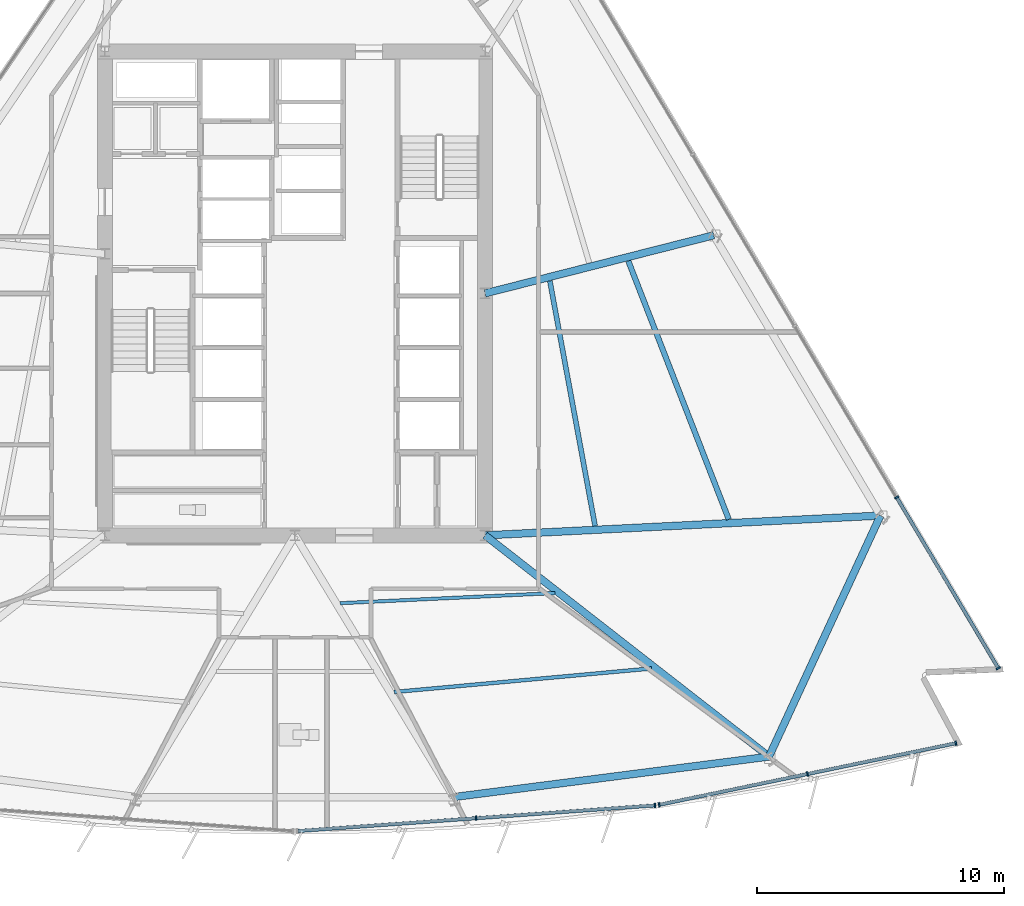
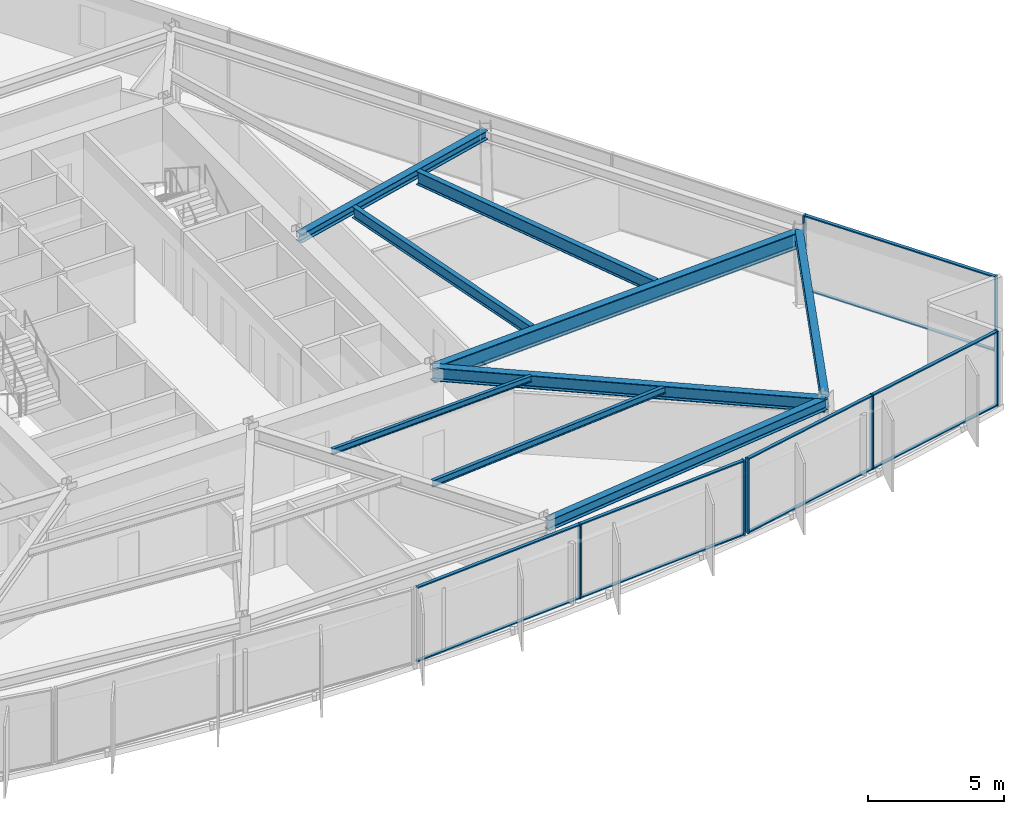
# One storey, part 4 of 15: 17 members, 9 beams, 3 elements without a shape of their own.
"""IFC4 building model written with IfcOpenShell, lengths in metres."""

from ifc_helpers import new_model, si_unit, direction, frame, origin, origin_2d, place, context, subcontext, project, spatial, rectangle, i_section, extrude, material, material_profile, profile_set, type_object, element, aggregate, save


model = new_model("IFC4")

# Units and contexts
model_context = context("Model", 3, precision=1e-05, world=origin(), true_north=direction((0.0, 1.0)))
body_context = subcontext(model_context, "Body", "Model", "MODEL_VIEW")
ifc_project = project(units=[si_unit("LENGTHUNIT", "METRE"), si_unit("AREAUNIT", "SQUARE_METRE"), si_unit("VOLUMEUNIT", "CUBIC_METRE"), si_unit("PLANEANGLEUNIT", "RADIAN"), si_unit("MASSUNIT", "GRAM", prefix="KILO")], contexts=[model_context])

# Site, building, storey
site_placement = place(None, origin())
site = spatial("IfcSite", under=ifc_project, at=site_placement, CompositionType="ELEMENT")
building_placement = place(site_placement, origin())
building = spatial("IfcBuilding", under=site, at=building_placement, Name="Savorim Split Tower", CompositionType="ELEMENT")
storey_placement = place(building_placement, frame((0.0, 0.0, 82.5)))
storey = spatial("IfcBuildingStorey", under=building, at=storey_placement, Name="L21", CompositionType="ELEMENT", Elevation=82.5)

# Beams
ifc_material_1 = material(Name="Steel S355", Category="steel")
ifc_material_profile_1 = material_profile(ifc_material_1, i_section(OverallWidth=0.135009765625, OverallDepth=0.27001953125, WebThickness=0.006591796875, FlangeThickness=0.01025390625, FilletRadius=0.014892578125, at=origin_2d()), Name="IPE 270")
ifc_profile_set_1 = profile_set([ifc_material_profile_1], Name="Steel S355")
beam_type_1 = type_object("IfcBeamType", Name="BM-JST-IPE270", PredefinedType="JOIST", material=ifc_profile_set_1)
beam_1_placement = place(storey_placement, frame((1.83251953125, -12.14794921875, 3.215087890625), z_axis=(0.998887027932, 0.047166783105, 0.0), x_axis=(-0.047166783105, 0.998887027932, 0.0)))
element("IfcBeam", 1, at=beam_1_placement, inside=storey, type_object=beam_type_1, Name="L21 Secondary Floor Joist JS-05", PredefinedType="JOIST", context=body_context, shape_type="SweptSolid", body=[
    extrude(i_section(OverallWidth=0.135009765625, OverallDepth=0.27001953125, WebThickness=0.006591796875, FlangeThickness=0.01025390625, FilletRadius=0.014892578125, at=origin_2d()), origin(), (0.0, 0.0, 1.0), 8.706298828125),
])
ifc_material_profile_2 = material_profile(ifc_material_1, i_section(OverallWidth=0.14990234375, OverallDepth=0.300048828125, WebThickness=0.007080078125, FlangeThickness=0.0107421875, FilletRadius=0.014892578125, at=origin_2d()), Name="IPE 300")
ifc_profile_set_2 = profile_set([ifc_material_profile_2], Name="Steel S355")
beam_type_2 = type_object("IfcBeamType", Name="BM-JST-IPE300", PredefinedType="JOIST", material=ifc_profile_set_2)
beam_2_placement = place(storey_placement, frame((4.019287109375, -15.744384765625, 3.199951171875), z_axis=(0.995835239255, 0.091171137194, 0.0), x_axis=(-0.091171137194, 0.995835239255, 0.0)))
element("IfcBeam", 2, at=beam_2_placement, inside=storey, type_object=beam_type_2, Name="L21 Secondary Floor Joist JS-04", PredefinedType="JOIST", context=body_context, shape_type="SweptSolid", body=[
    extrude(i_section(OverallWidth=0.14990234375, OverallDepth=0.300048828125, WebThickness=0.007080078125, FlangeThickness=0.0107421875, FilletRadius=0.014892578125, at=origin_2d()), origin(), (0.0, 0.0, 1.0), 10.462158203125),
])
ifc_material_profile_3 = material_profile(ifc_material_1, i_section(OverallWidth=0.199951171875, OverallDepth=0.5, WebThickness=0.01025390625, FlangeThickness=0.01611328125, FilletRadius=0.02099609375, at=origin_2d()), Name="IPE 500")
ifc_profile_set_3 = profile_set([ifc_material_profile_3], Name="Steel S355")
beam_type_3 = type_object("IfcBeamType", Name="BM-JST-IPE500", PredefinedType="JOIST", material=ifc_profile_set_3)
beam_3_placement = place(storey_placement, frame((12.1533203125, -9.0185546875, 3.10009765625), z_axis=(-0.181587446639, 0.983374800991, 0.0), x_axis=(-0.983374800991, -0.181587446639, 0.0)))
element("IfcBeam", 3, at=beam_3_placement, inside=storey, type_object=beam_type_3, Name="L21 Secondary Floor Joist JS-08", PredefinedType="JOIST", context=body_context, shape_type="SweptSolid", body=[
    extrude(i_section(OverallWidth=0.199951171875, OverallDepth=0.5, WebThickness=0.01025390625, FlangeThickness=0.01611328125, FilletRadius=0.02099609375, at=origin_2d()), origin(), (0.0, 0.0, 1.0), 10.087646484375),
])
ifc_material_profile_4 = material_profile(ifc_material_1, i_section(OverallWidth=0.219970703125, OverallDepth=0.60009765625, WebThickness=0.011962890625, FlangeThickness=0.01904296875, FilletRadius=0.02392578125, at=origin_2d()), Name="IPE 600")
ifc_profile_set_4 = profile_set([ifc_material_profile_4], Name="Steel S355")
beam_type_4 = type_object("IfcBeamType", Name="BM-JST-IPE600", PredefinedType="JOIST", material=ifc_profile_set_4)
beam_4_placement = place(storey_placement, frame((17.5673828125, -8.75439453125, 3.050048828125), z_axis=(-0.362420025805, 0.932014873752, 0.0), x_axis=(-0.932014873752, -0.362420025805, 0.0)))
element("IfcBeam", 4, at=beam_4_placement, inside=storey, type_object=beam_type_4, Name="L21 Secondary Floor Joist JS-06", PredefinedType="JOIST", context=body_context, shape_type="SweptSolid", body=[
    extrude(i_section(OverallWidth=0.219970703125, OverallDepth=0.60009765625, WebThickness=0.011962890625, FlangeThickness=0.01904296875, FilletRadius=0.02392578125, at=origin_2d()), origin(), (0.0, 0.0, 1.0), 11.226806640625),
])
ifc_material_profile_5 = material_profile(ifc_material_1, i_section(OverallWidth=0.300048828125, OverallDepth=0.39990234375, WebThickness=0.013427734375, FlangeThickness=0.02392578125, FilletRadius=0.027099609375, at=origin_2d()), Name="HEB 400")
ifc_profile_set_5 = profile_set([ifc_material_profile_5], Name="Steel S355")
beam_type_5 = type_object("IfcBeamType", Name="BM-PRI-HEB400", PredefinedType="BEAM", material=ifc_profile_set_5)
beam_5_placement = place(storey_placement, frame((16.958984375, 2.752197265625, 3.14990234375), z_axis=(-0.969210926166, -0.246231965026, 0.0), x_axis=(0.246231965026, -0.969210926166, 0.0)))
element("IfcBeam", 5, at=beam_5_placement, inside=storey, type_object=beam_type_5, Name="L21 Primary Floor Girder RG-06", PredefinedType="BEAM", context=body_context, shape_type="SweptSolid", body=[
    extrude(i_section(OverallWidth=0.300048828125, OverallDepth=0.39990234375, WebThickness=0.013427734375, FlangeThickness=0.02392578125, FilletRadius=0.027099609375, at=origin_2d()), origin(), (0.0, 0.0, 1.0), 9.55322265625),
])
ifc_material_profile_6 = material_profile(ifc_material_1, i_section(OverallWidth=0.300048828125, OverallDepth=0.60009765625, WebThickness=0.015380859375, FlangeThickness=0.030029296875, FilletRadius=0.027099609375, at=origin_2d()), Name="HEB 600")
ifc_profile_set_6 = profile_set([ifc_material_profile_6], Name="Steel S355")
beam_type_6 = type_object("IfcBeamType", Name="BM-PRI-HEB600", PredefinedType="BEAM", material=ifc_profile_set_6)
beam_6_placement = place(storey_placement, frame((19.1953125, -18.35986328125, 3.050048828125), z_axis=(-0.78871590422, 0.614757856746, 0.0), x_axis=(-0.614757856746, -0.78871590422, 0.0)))
element("IfcBeam", 6, at=beam_6_placement, inside=storey, type_object=beam_type_6, Name="L21 Primary Floor Girder RG-04", PredefinedType="BEAM", context=body_context, shape_type="SweptSolid", body=[
    extrude(i_section(OverallWidth=0.300048828125, OverallDepth=0.60009765625, WebThickness=0.015380859375, FlangeThickness=0.030029296875, FilletRadius=0.027099609375, at=origin_2d()), origin(), (0.0, 0.0, 1.0), 14.57470703125),
])
ifc_material_2 = material(Name="Steel S460", Category="steel")
ifc_material_profile_7 = material_profile(ifc_material_2, i_section(OverallWidth=0.303955078125, OverallDepth=0.716064453125, WebThickness=0.02099609375, FlangeThickness=0.0400390625, FilletRadius=0.027099609375, at=origin_2d()), Name="HE 700 M")
ifc_profile_set_7 = profile_set([ifc_material_profile_7], Name="Steel S460")
beam_type_7 = type_object("IfcBeamType", Name="BM-PRI-HEM700", PredefinedType="BEAM", material=ifc_profile_set_7)
beam_7_placement = place(storey_placement, frame((23.708984375, -8.599365234375, 2.991943359375), z_axis=(-0.998752072983, -0.049942934551, 0.0), x_axis=(0.049942934551, -0.998752072983, 0.0)))
element("IfcBeam", 7, at=beam_7_placement, inside=storey, type_object=beam_type_7, Name="L21 Primary Floor Girder RG-05", PredefinedType="BEAM", context=body_context, shape_type="SweptSolid", body=[
    extrude(i_section(OverallWidth=0.303955078125, OverallDepth=0.716064453125, WebThickness=0.02099609375, FlangeThickness=0.0400390625, FilletRadius=0.027099609375, at=origin_2d()), origin(), (0.0, 0.0, 1.0), 16.029052734375),
])
ifc_material_profile_8 = material_profile(ifc_material_1, i_section(OverallWidth=0.300048828125, OverallDepth=0.489990234375, WebThickness=0.011962890625, FlangeThickness=0.02294921875, FilletRadius=0.027099609375, at=origin_2d()), Name="HEA 500")
ifc_profile_set_8 = profile_set([ifc_material_profile_8], Name="Steel S355")
beam_type_8 = type_object("IfcBeamType", Name="BM-SPN-HEA500", PredefinedType="SPANDREL", material=ifc_profile_set_8)
beam_8_placement = place(storey_placement, frame((6.433349609375, -19.998291015625, 3.10498046875), z_axis=(0.991859311884, 0.127338546516, 0.0), x_axis=(-0.127338546516, 0.991859311884, 0.0)))
element("IfcBeam", 8, at=beam_8_placement, inside=storey, type_object=beam_type_8, Name="L21 Perimeter Spandrel Beam 3", PredefinedType="SPANDREL", context=body_context, shape_type="SweptSolid", body=[
    extrude(i_section(OverallWidth=0.300048828125, OverallDepth=0.489990234375, WebThickness=0.011962890625, FlangeThickness=0.02294921875, FilletRadius=0.027099609375, at=origin_2d()), origin(), (0.0, 0.0, 1.0), 12.86669921875),
])
beam_9_placement = place(storey_placement, frame((19.1953125, -18.35986328125, 3.10498046875), z_axis=(0.41973472391, 0.907646826439, 0.0), x_axis=(-0.907646826439, 0.41973472391, 0.0)))
element("IfcBeam", 9, at=beam_9_placement, inside=storey, type_object=beam_type_8, Name="L21 Perimeter Spandrel Beam 4", PredefinedType="SPANDREL", context=body_context, shape_type="SweptSolid", body=[
    extrude(i_section(OverallWidth=0.300048828125, OverallDepth=0.489990234375, WebThickness=0.011962890625, FlangeThickness=0.02294921875, FilletRadius=0.027099609375, at=origin_2d()), origin(), (0.0, 0.0, 1.0), 10.753662109375),
])

# Curtain wall, members
ifc_material_3 = material(Name="Dark Ceramic-Fritted Insulated Glass", Category="glass")
curtain_wall_type = type_object("IfcCurtainWallType", Name="CW-TWR-FRIT-A", PredefinedType="NOTDEFINED", material=ifc_material_3)
curtain_wall_1_placement = place(storey_placement, origin())
curtain_wall_1 = element("IfcCurtainWall", 10, at=curtain_wall_1_placement, inside=storey, type_object=curtain_wall_type, Name="L21 Curtain Wall CW-L21-SF3", PredefinedType="NOTDEFINED")
ifc_material_4 = material(Name="Charcoal Anodised Aluminium", Category="aluminium")
ifc_material_profile_9 = material_profile(ifc_material_4, rectangle(XDim=0.179931640625, YDim=0.06494140625, at=origin_2d()), Name="ALU-M 180x65")
ifc_profile_set_9 = profile_set([ifc_material_profile_9], Name="Charcoal Anodised Aluminium")
member_type_1 = type_object("IfcMemberType", Name="CWM-180x65", PredefinedType="MULLION", material=ifc_profile_set_9)
member_1_placement = place(storey_placement, frame((7.33203125, -20.8544921875, 0.0), z_axis=(0.0, 0.0, 1.0), x_axis=(-0.071560540796, 0.997436258114, 0.0)))
member_1 = element("IfcMember", 11, at=member_1_placement, type_object=member_type_1, Name="CW-02 mullion 2", PredefinedType="MULLION", context=body_context, shape_type="SweptSolid", body=[
    extrude(rectangle(XDim=0.179931640625, YDim=0.06494140625, at=origin_2d()), origin(), (0.0, 0.0, 1.0), 3.35009765625),
])
member_2_placement = place(storey_placement, frame((14.580322265625, -20.33447265625, 0.0), z_axis=(0.0, 0.0, 1.0), x_axis=(-0.071560540796, 0.997436258114, 0.0)))
member_2 = element("IfcMember", 12, at=member_2_placement, type_object=member_type_1, Name="CW-02 mullion 3", PredefinedType="MULLION", context=body_context, shape_type="SweptSolid", body=[
    extrude(rectangle(XDim=0.179931640625, YDim=0.06494140625, at=origin_2d()), origin(), (0.0, 0.0, 1.0), 3.35009765625),
])

curtain_wall_2_placement = place(storey_placement, origin())
curtain_wall_2 = element("IfcCurtainWall", 13, at=curtain_wall_2_placement, inside=storey, type_object=curtain_wall_type, Name="L21 Curtain Wall CW-L21-SF4", PredefinedType="NOTDEFINED")
member_3_placement = place(storey_placement, frame((14.747314453125, -20.311279296875, 0.0), z_axis=(0.0, 0.0, 1.0), x_axis=(-0.203210153081, 0.979135145772, 0.0)))
member_3 = element("IfcMember", 14, at=member_3_placement, type_object=member_type_1, Name="CW-02 mullion 1", PredefinedType="MULLION", context=body_context, shape_type="SweptSolid", body=[
    extrude(rectangle(XDim=0.179931640625, YDim=0.06494140625, at=origin_2d()), origin(), (0.0, 0.0, 1.0), 3.35009765625),
])
member_4_placement = place(storey_placement, frame((20.75634765625, -19.064208984375, 0.0), z_axis=(0.0, 0.0, 1.0), x_axis=(-0.203210153081, 0.979135145772, 0.0)))
member_4 = element("IfcMember", 15, at=member_4_placement, type_object=member_type_1, Name="CW-02 mullion 2", PredefinedType="MULLION", context=body_context, shape_type="SweptSolid", body=[
    extrude(rectangle(XDim=0.179931640625, YDim=0.06494140625, at=origin_2d()), origin(), (0.0, 0.0, 1.0), 3.35009765625),
])
member_5_placement = place(storey_placement, frame((26.76513671875, -17.81689453125, 0.0), z_axis=(0.0, 0.0, 1.0), x_axis=(-0.203210153081, 0.979135145772, 0.0)))
member_5 = element("IfcMember", 16, at=member_5_placement, type_object=member_type_1, Name="CW-02 mullion 3", PredefinedType="MULLION", context=body_context, shape_type="SweptSolid", body=[
    extrude(rectangle(XDim=0.179931640625, YDim=0.06494140625, at=origin_2d()), origin(), (0.0, 0.0, 1.0), 3.35009765625),
])

curtain_wall_3_placement = place(storey_placement, origin())
curtain_wall_3 = element("IfcCurtainWall", 17, at=curtain_wall_3_placement, inside=storey, type_object=curtain_wall_type, Name="L21 Curtain Wall CW-L21-EAST", PredefinedType="NOTDEFINED")
member_6_placement = place(storey_placement, frame((28.480224609375, -14.78173828125, 0.0), z_axis=(0.0, 0.0, 1.0), x_axis=(-0.859524537852, -0.511094481315, 0.0)))
member_6 = element("IfcMember", 18, at=member_6_placement, type_object=member_type_1, Name="CW-02 mullion 1", PredefinedType="MULLION", context=body_context, shape_type="SweptSolid", body=[
    extrude(rectangle(XDim=0.179931640625, YDim=0.06494140625, at=origin_2d()), origin(), (0.0, 0.0, 1.0), 3.35009765625),
])
member_7_placement = place(storey_placement, frame((24.36669921875, -7.864013671875, 0.0), z_axis=(0.0, 0.0, 1.0), x_axis=(-0.859524537852, -0.511094481315, 0.0)))
member_7 = element("IfcMember", 19, at=member_7_placement, type_object=member_type_1, Name="CW-02 mullion 2", PredefinedType="MULLION", context=body_context, shape_type="SweptSolid", body=[
    extrude(rectangle(XDim=0.179931640625, YDim=0.06494140625, at=origin_2d()), origin(), (0.0, 0.0, 1.0), 3.35009765625),
])

# Member
ifc_material_profile_10 = material_profile(ifc_material_4, rectangle(XDim=0.139892578125, YDim=0.054931640625, at=origin_2d()), Name="ALU-T 140x55")
ifc_profile_set_10 = profile_set([ifc_material_profile_10], Name="Charcoal Anodised Aluminium")
member_type_2 = type_object("IfcMemberType", Name="CWT-140x55", PredefinedType="USERDEFINED", material=ifc_profile_set_10)
member_8_placement = place(storey_placement, frame((0.1162109375, -21.3720703125, 0.027587890625), z_axis=(0.997436107345, 0.071562642239, 0.0), x_axis=(-0.071562642239, 0.997436107345, 0.0)))
member_8 = element("IfcMember", 20, at=member_8_placement, type_object=member_type_2, Name="CW-02 transom 1.1", ObjectType="TRANSOM", PredefinedType="USERDEFINED", context=body_context, shape_type="SweptSolid", body=[
    extrude(rectangle(XDim=0.139892578125, YDim=0.054931640625, at=origin_2d()), origin(), (0.0, 0.0, 1.0), 7.201904296875),
])

member_9_placement = place(storey_placement, frame((0.1162109375, -21.3720703125, 3.322509765625), z_axis=(0.997436107345, 0.071562642239, 0.0), x_axis=(-0.071562642239, 0.997436107345, 0.0)))
member_9 = element("IfcMember", 21, at=member_9_placement, type_object=member_type_2, Name="CW-02 transom 1.2", ObjectType="TRANSOM", PredefinedType="USERDEFINED", context=body_context, shape_type="SweptSolid", body=[
    extrude(rectangle(XDim=0.139892578125, YDim=0.054931640625, at=origin_2d()), origin(), (0.0, 0.0, 1.0), 7.201904296875),
])

member_10_placement = place(storey_placement, frame((7.364501953125, -20.85205078125, 0.027587890625), z_axis=(0.997436107345, 0.071562642239, 0.0), x_axis=(-0.071562642239, 0.997436107345, 0.0)))
member_10 = element("IfcMember", 22, at=member_10_placement, type_object=member_type_2, Name="CW-02 transom 2.1", ObjectType="TRANSOM", PredefinedType="USERDEFINED", context=body_context, shape_type="SweptSolid", body=[
    extrude(rectangle(XDim=0.139892578125, YDim=0.054931640625, at=origin_2d()), origin(), (0.0, 0.0, 1.0), 7.201904296875),
])

member_11_placement = place(storey_placement, frame((7.364501953125, -20.85205078125, 3.322509765625), z_axis=(0.997436107345, 0.071562642239, 0.0), x_axis=(-0.071562642239, 0.997436107345, 0.0)))
member_11 = element("IfcMember", 23, at=member_11_placement, type_object=member_type_2, Name="CW-02 transom 2.2", ObjectType="TRANSOM", PredefinedType="USERDEFINED", context=body_context, shape_type="SweptSolid", body=[
    extrude(rectangle(XDim=0.139892578125, YDim=0.054931640625, at=origin_2d()), origin(), (0.0, 0.0, 1.0), 7.201904296875),
])

aggregate(curtain_wall_1, [member_1, member_2, member_8, member_9, member_10, member_11])

member_12_placement = place(storey_placement, frame((14.779052734375, -20.3046875, 0.027587890625), z_axis=(0.97913534694, 0.203209183781, 0.0), x_axis=(-0.203209183781, 0.97913534694, 0.0)))
member_12 = element("IfcMember", 24, at=member_12_placement, type_object=member_type_2, Name="CW-02 transom 1.1", ObjectType="TRANSOM", PredefinedType="USERDEFINED", context=body_context, shape_type="SweptSolid", body=[
    extrude(rectangle(XDim=0.139892578125, YDim=0.054931640625, at=origin_2d()), origin(), (0.0, 0.0, 1.0), 6.072021484375),
])

member_13_placement = place(storey_placement, frame((14.779052734375, -20.3046875, 3.322509765625), z_axis=(0.97913534694, 0.203209183781, 0.0), x_axis=(-0.203209183781, 0.97913534694, 0.0)))
member_13 = element("IfcMember", 25, at=member_13_placement, type_object=member_type_2, Name="CW-02 transom 1.2", ObjectType="TRANSOM", PredefinedType="USERDEFINED", context=body_context, shape_type="SweptSolid", body=[
    extrude(rectangle(XDim=0.139892578125, YDim=0.054931640625, at=origin_2d()), origin(), (0.0, 0.0, 1.0), 6.072021484375),
])

member_14_placement = place(storey_placement, frame((20.7880859375, -19.0576171875, 0.027587890625), z_axis=(0.97913534694, 0.203209183781, 0.0), x_axis=(-0.203209183781, 0.97913534694, 0.0)))
member_14 = element("IfcMember", 26, at=member_14_placement, type_object=member_type_2, Name="CW-02 transom 2.1", ObjectType="TRANSOM", PredefinedType="USERDEFINED", context=body_context, shape_type="SweptSolid", body=[
    extrude(rectangle(XDim=0.139892578125, YDim=0.054931640625, at=origin_2d()), origin(), (0.0, 0.0, 1.0), 6.072021484375),
])

member_15_placement = place(storey_placement, frame((20.7880859375, -19.0576171875, 3.322509765625), z_axis=(0.97913534694, 0.203209183781, 0.0), x_axis=(-0.203209183781, 0.97913534694, 0.0)))
member_15 = element("IfcMember", 27, at=member_15_placement, type_object=member_type_2, Name="CW-02 transom 2.2", ObjectType="TRANSOM", PredefinedType="USERDEFINED", context=body_context, shape_type="SweptSolid", body=[
    extrude(rectangle(XDim=0.139892578125, YDim=0.054931640625, at=origin_2d()), origin(), (0.0, 0.0, 1.0), 6.072021484375),
])

aggregate(curtain_wall_2, [member_3, member_4, member_5, member_12, member_13, member_14, member_15])

member_16_placement = place(storey_placement, frame((28.463623046875, -14.753662109375, 0.027587890625), z_axis=(-0.511105313723, 0.859518096542, 0.0), x_axis=(-0.859518096542, -0.511105313723, 0.0)))
member_16 = element("IfcMember", 28, at=member_16_placement, type_object=member_type_2, Name="CW-02 transom 1.1", ObjectType="TRANSOM", PredefinedType="USERDEFINED", context=body_context, shape_type="SweptSolid", body=[
    extrude(rectangle(XDim=0.139892578125, YDim=0.054931640625, at=origin_2d()), origin(), (0.0, 0.0, 1.0), 7.9833984375),
])

member_17_placement = place(storey_placement, frame((28.463623046875, -14.753662109375, 3.322509765625), z_axis=(-0.511105313723, 0.859518096542, 0.0), x_axis=(-0.859518096542, -0.511105313723, 0.0)))
member_17 = element("IfcMember", 29, at=member_17_placement, type_object=member_type_2, Name="CW-02 transom 1.2", ObjectType="TRANSOM", PredefinedType="USERDEFINED", context=body_context, shape_type="SweptSolid", body=[
    extrude(rectangle(XDim=0.139892578125, YDim=0.054931640625, at=origin_2d()), origin(), (0.0, 0.0, 1.0), 7.9833984375),
])

aggregate(curtain_wall_3, [member_6, member_7, member_16, member_17])

save(model, "model.ifc")
